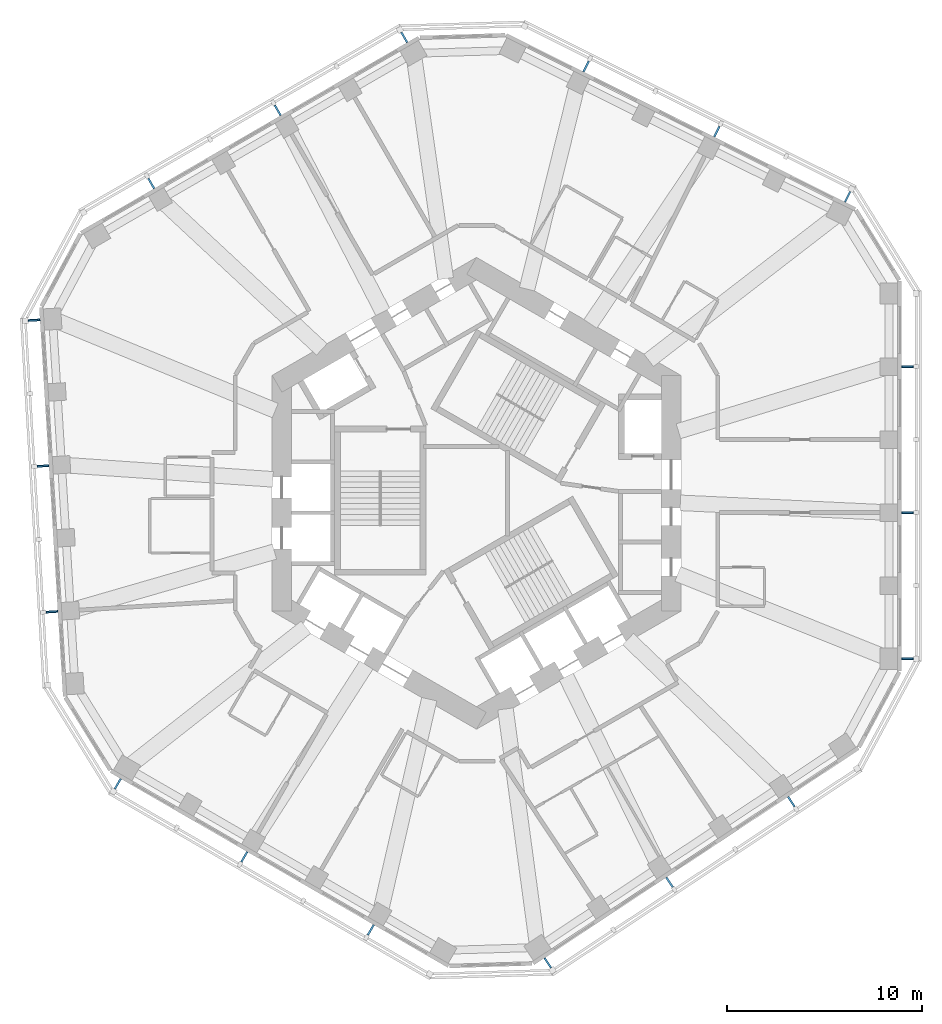
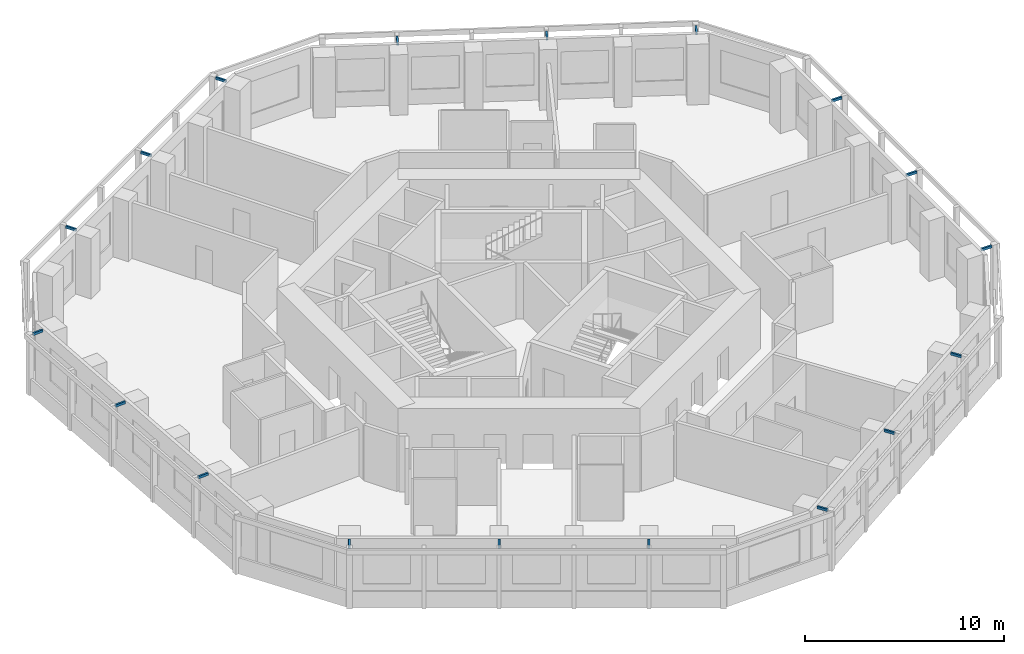
# One storey, part 10 of 11: 18 discrete accessories.
"""IFC4 building model written with IfcOpenShell, lengths in metres."""

from ifc_helpers import new_model, si_unit, direction, frame, origin, origin_2d, place, context, subcontext, project, spatial, rectangle, extrude, material, type_object, element, save


model = new_model("IFC4")

# Units and contexts
model_context = context("Model", 3, precision=1e-05, world=origin(), true_north=direction((0.0, 1.0)))
body_context = subcontext(model_context, "Body", "Model", "MODEL_VIEW")
ifc_project = project(units=[si_unit("LENGTHUNIT", "METRE"), si_unit("AREAUNIT", "SQUARE_METRE"), si_unit("VOLUMEUNIT", "CUBIC_METRE"), si_unit("PLANEANGLEUNIT", "RADIAN"), si_unit("MASSUNIT", "GRAM", prefix="KILO")], contexts=[model_context])

# Site, building, storey
site_placement = place(None, origin())
site = spatial("IfcSite", under=ifc_project, at=site_placement, CompositionType="ELEMENT")
building_placement = place(site_placement, origin())
building = spatial("IfcBuilding", under=site, at=building_placement, Name="Vanh Sen Convention Tower", CompositionType="ELEMENT")
storey_placement = place(building_placement, frame((0.0, 0.0, 198.39990234375)))
storey = spatial("IfcBuildingStorey", under=building, at=storey_placement, Name="L49", CompositionType="ELEMENT", Elevation=198.39990234375)

# Discrete accessories
ifc_material = material(Name="Steel S355", Category="steel")
discrete_accessory_type = type_object("IfcDiscreteAccessoryType", Name="Fin bracket 100 x 150", PredefinedType="BRACKET", material=ifc_material)
for number, where, z_axis, x_axis, name in (
    (1, (22.14990234375, -8.5009765625, 3.500244140625), (0.0, 0.0, 1.0), (1.0, 0.0, 0.0), "Fin bracket E-1 L49"),
    (2, (22.14990234375, -0.992919921875, 3.500244140625), (0.0, 0.0, 1.0), (1.0, 0.0, 0.0), "Fin bracket E-3 L49"),
    (3, (22.14990234375, 6.515380859375, 3.500244140625), (0.0, 0.0, 1.0), (1.0, 0.0, 0.0), "Fin bracket E-5 L49"),
    (4, (19.073974609375, 15.240478515625, 3.500244140625), (0.0, 0.0, 1.0), (0.44619781311, 0.894934361602, 0.0), "Fin bracket NE-1 L49"),
    (5, (12.3544921875, 18.5908203125, 3.500244140625), (0.0, 0.0, 1.0), (0.44619781311, 0.894934361602, 0.0), "Fin bracket NE-3 L49"),
    (6, (5.635009765625, 21.94091796875, 3.500244140625), (0.0, 0.0, 1.0), (0.44619781311, 0.894934361602, 0.0), "Fin bracket NE-5 L49"),
    (7, (-3.712890625, 23.432861328125, 3.500244140625), (0.0, 0.0, 1.0), (-0.5, 0.866025403784, 0.0), "Fin bracket NW-1 L49"),
    (8, (-10.215087890625, 19.6787109375, 3.500244140625), (0.0, 0.0, 1.0), (-0.5, 0.866025403784, 0.0), "Fin bracket NW-3 L49"),
    (9, (-16.717529296875, 15.9248046875, 3.500244140625), (0.0, 0.0, 1.0), (-0.5, 0.866025403784, 0.0), "Fin bracket NW-5 L49"),
    (10, (-22.735595703125, 8.898193359375, 3.500244140625), (0.0, 0.0, 1.0), (-0.998134798422, -0.061048539535, 0.0), "Fin bracket W-1 L49"),
    (11, (-22.277099609375, 1.40380859375, 3.500244140625), (0.0, 0.0, 1.0), (-0.998134798422, -0.061048539535, 0.0), "Fin bracket W-3 L49"),
    (12, (-21.81884765625, -6.09033203125, 3.500244140625), (0.0, 0.0, 1.0), (-0.998134798422, -0.061048539535, 0.0), "Fin bracket W-5 L49"),
    (13, (-18.43701171875, -14.931884765625, 3.500244140625), (0.0, 0.0, 1.0), (-0.5, -0.866025403784, 0.0), "Fin bracket SW-1 L49"),
    (14, (-11.934814453125, -18.68603515625, 3.500244140625), (0.0, 0.0, 1.0), (-0.5, -0.866025403784, 0.0), "Fin bracket SW-3 L49"),
    (15, (-5.4326171875, -22.440185546875, 3.500244140625), (0.0, 0.0, 1.0), (-0.5, -0.866025403784, 0.0), "Fin bracket SW-5 L49"),
    (16, (3.66162109375, -24.138671875, 3.500244140625), (0.0, 0.0, 1.0), (0.551936985312, -0.833885822067, 0.0), "Fin bracket SE-1 L49"),
    (17, (9.922607421875, -19.99462890625, 3.500244140625), (0.0, 0.0, 1.0), (0.551936985312, -0.833885822067, 0.0), "Fin bracket SE-3 L49"),
    (18, (16.18359375, -15.8505859375, 3.500244140625), (0.0, 0.0, 1.0), (0.551936985312, -0.833885822067, 0.0), "Fin bracket SE-5 L49"),
):
    element("IfcDiscreteAccessory", number, at=place(storey_placement, frame(where, z_axis=z_axis, x_axis=x_axis)), inside=storey, type_object=discrete_accessory_type, Name=name, PredefinedType="BRACKET", context=body_context, shape_type="SweptSolid", body=[
        extrude(rectangle(XDim=0.60009765625, YDim=0.10009765625, at=origin_2d()), origin(), (0.0, 0.0, 1.0), 0.14990234375),
    ])

save(model, "model.ifc")
